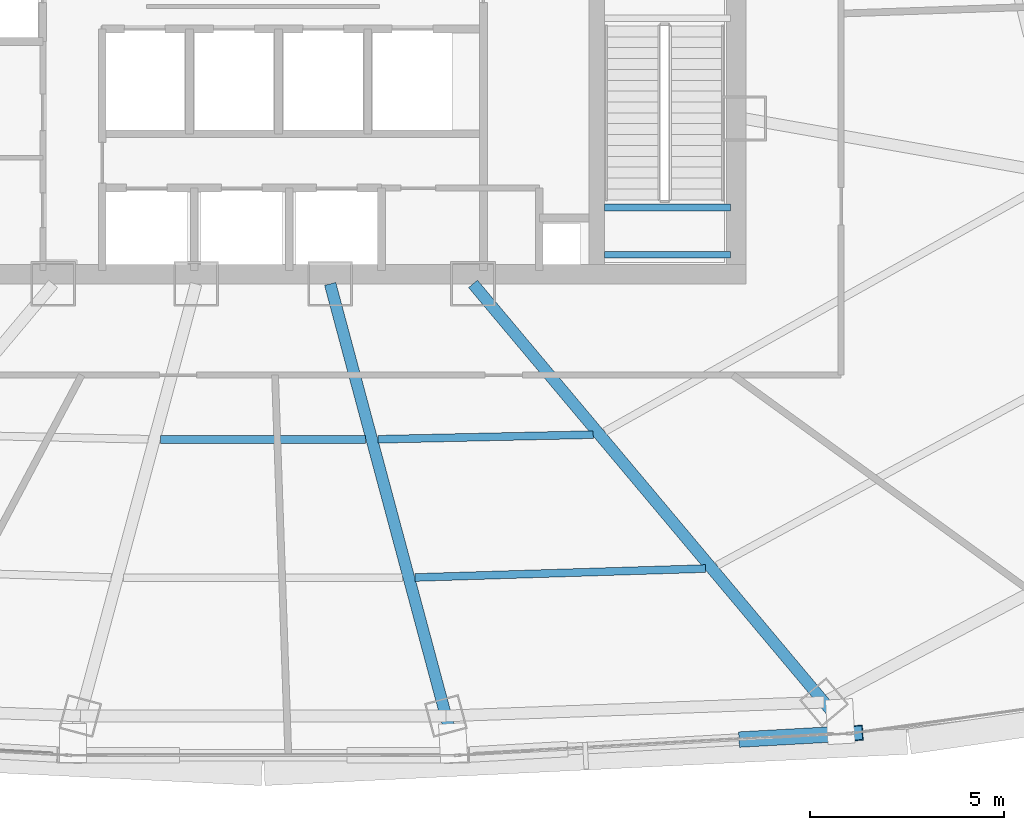
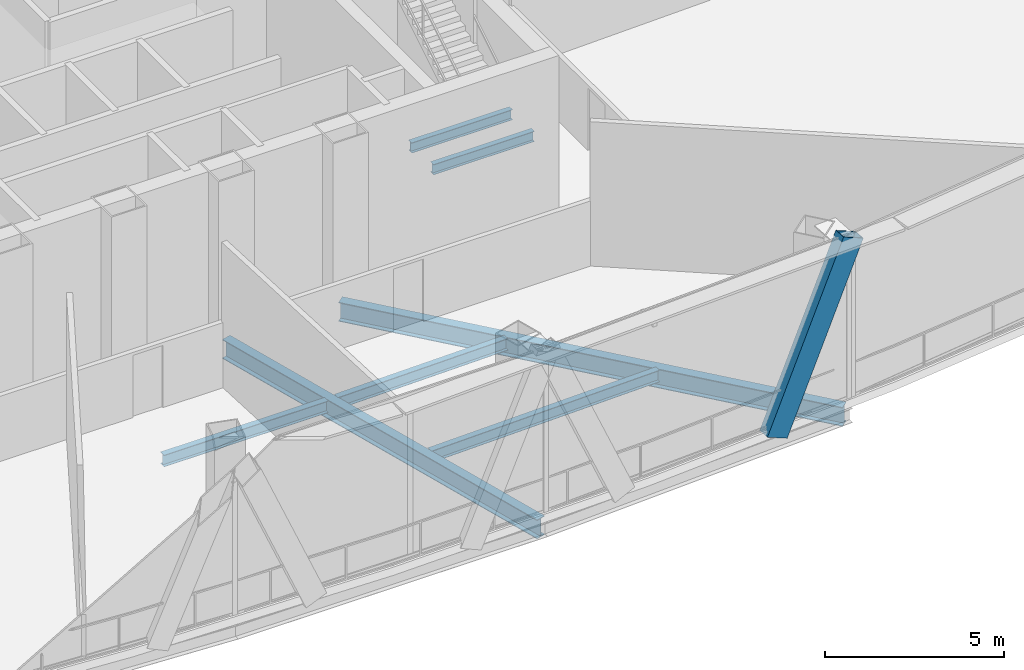
# One storey, part 13 of 38: 7 beams, 1 member.
"""IFC4 building model written with IfcOpenShell, lengths in metres."""

from ifc_helpers import new_model, si_unit, direction, frame, origin, origin_2d, place, context, subcontext, project, spatial, hollow_rectangle, i_section, extrude, source, transform, mapped, material, material_profile, profile_set, type_object, element, save


model = new_model("IFC4")

# Units and contexts
model_context = context("Model", 3, precision=1e-05, world=origin(), true_north=direction((0.0, 1.0)))
body_context = subcontext(model_context, "Body", "Model", "MODEL_VIEW")
ifc_project = project(units=[si_unit("LENGTHUNIT", "METRE"), si_unit("AREAUNIT", "SQUARE_METRE"), si_unit("VOLUMEUNIT", "CUBIC_METRE"), si_unit("PLANEANGLEUNIT", "RADIAN"), si_unit("MASSUNIT", "GRAM", prefix="KILO"), si_unit("THERMODYNAMICTEMPERATUREUNIT", "KELVIN"), si_unit("POWERUNIT", "WATT")], contexts=[model_context])

# Site, building, storey
site_placement = place(None, origin())
site = spatial("IfcSite", under=ifc_project, at=site_placement, CompositionType="ELEMENT")
building_placement = place(site_placement, origin())
building = spatial("IfcBuilding", under=site, at=building_placement, Name="Yunzhuo Pagoda Commons", CompositionType="ELEMENT")
storey_placement = place(building_placement, frame((0.0, 0.0, 218.9599609375)))
storey = spatial("IfcBuildingStorey", under=building, at=storey_placement, Name="L55", CompositionType="ELEMENT", Elevation=218.9599609375)

# Beams
ifc_material = material(Name="Structural steel Q355B", Category="steel")
ifc_material_profile_1 = material_profile(ifc_material, i_section(OverallWidth=0.175048828125, OverallDepth=0.35009765625, WebThickness=0.007080078125, FlangeThickness=0.010986328125, at=origin_2d()), Name="Structural steel Q355B")
ifc_profile_set_1 = profile_set([ifc_material_profile_1], Name="Structural steel Q355B")
beam_type_1 = type_object("IfcBeamType", Name="B-JS2 Joist HN 350x175x7x11", PredefinedType="JOIST", material=ifc_profile_set_1)
shared_shape_1 = source(origin(), body_context, "Body", "SweptSolid", [
    extrude(i_section(OverallWidth=0.175048828125, OverallDepth=0.35009765625, WebThickness=0.007080078125, FlangeThickness=0.010986328125, at=origin_2d()), origin(), (0.0, 0.0, 1.0), 3.25),
])
for number, where, z_axis, x_axis, name in (
    (1, (56.800048828125, 28.0, 2.550048828125), (1.0, 0.0, 0.0), (0.0, 1.0, 0.0), "L55 ST2 landing support beam 61A"),
    (2, (56.800048828125, 29.219970703125, 2.550048828125), (1.0, 0.0, 0.0), (0.0, 1.0, 0.0), "L55 ST2 landing support beam 61B"),
):
    element("IfcBeam", number, at=place(storey_placement, frame(where, z_axis=z_axis, x_axis=x_axis)), inside=storey, type_object=beam_type_1, Name=name, PredefinedType="JOIST", context=body_context, shape_type="MappedRepresentation", body=[
        mapped(shared_shape_1, transform((0.0, 0.0, 0.0), scale=1.0)),
    ])
ifc_material_profile_2 = material_profile(ifc_material, i_section(OverallWidth=0.199951171875, OverallDepth=0.39990234375, WebThickness=0.008056640625, FlangeThickness=0.012939453125, at=origin_2d()), Name="Structural steel Q355B")
ifc_profile_set_2 = profile_set([ifc_material_profile_2], Name="Structural steel Q355B")
beam_type_2 = type_object("IfcBeamType", Name="B-JS1 Joist HN 400x200x8x13", PredefinedType="JOIST", material=ifc_profile_set_2)
shared_shape_2 = source(origin(), body_context, "Body", "SweptSolid", [
    extrude(i_section(OverallWidth=0.199951171875, OverallDepth=0.39990234375, WebThickness=0.008056640625, FlangeThickness=0.012939453125, at=origin_2d()), origin(), (0.0, 0.0, 1.0), 5.550537109375),
])
beam_1_placement = place(storey_placement, frame((50.961669921875, 23.244140625, -0.479736328125), z_axis=(0.99976582056, 0.021640333643, 0.0), x_axis=(-0.021640333643, 0.99976582056, 0.0)))
element("IfcBeam", 3, at=beam_1_placement, inside=storey, type_object=beam_type_2, Name="L55 composite ring joist 1.3", PredefinedType="JOIST", context=body_context, shape_type="MappedRepresentation", body=[
    mapped(shared_shape_2, transform((0.0, 0.0, 0.0), scale=1.0)),
])
shared_shape_3 = source(origin(), body_context, "Body", "SweptSolid", [
    extrude(i_section(OverallWidth=0.199951171875, OverallDepth=0.39990234375, WebThickness=0.008056640625, FlangeThickness=0.012939453125, at=origin_2d()), origin(), (0.0, 0.0, 1.0), 7.49365234375),
])
beam_2_placement = place(storey_placement, frame((51.91650390625, 19.68115234375, -0.479736328125), z_axis=(0.99952593018, 0.030788226605, 0.0), x_axis=(-0.030788226605, 0.99952593018, 0.0)))
element("IfcBeam", 4, at=beam_2_placement, inside=storey, type_object=beam_type_2, Name="L55 composite ring joist 2.3", PredefinedType="JOIST", context=body_context, shape_type="MappedRepresentation", body=[
    mapped(shared_shape_3, transform((0.0, 0.0, 0.0), scale=1.0)),
])
shared_shape_4 = source(origin(), body_context, "Body", "SweptSolid", [
    extrude(i_section(OverallWidth=0.199951171875, OverallDepth=0.39990234375, WebThickness=0.008056640625, FlangeThickness=0.012939453125, at=origin_2d()), origin(), (0.0, 0.0, 1.0), 5.287109375),
])
beam_3_placement = place(storey_placement, frame((45.3564453125, 23.24072265625, -0.479736328125), z_axis=(1.0, 0.0, 0.0), x_axis=(0.0, 1.0, 0.0)))
element("IfcBeam", 5, at=beam_3_placement, inside=storey, type_object=beam_type_2, Name="L55 composite ring joist 1.2", PredefinedType="JOIST", context=body_context, shape_type="MappedRepresentation", body=[
    mapped(shared_shape_4, transform((0.0, 0.0, 0.0), scale=1.0)),
])
ifc_material_profile_3 = material_profile(ifc_material, i_section(OverallWidth=0.300048828125, OverallDepth=0.64990234375, WebThickness=0.012939453125, FlangeThickness=0.02197265625, at=origin_2d()), Name="Structural steel Q355B")
ifc_profile_set_3 = profile_set([ifc_material_profile_3], Name="Structural steel Q355B")
beam_type_3 = type_object("IfcBeamType", Name="B-RG2 Beam HN 650x300x13x22", PredefinedType="BEAM", material=ifc_profile_set_3)
shared_shape_5 = source(origin(), body_context, "Body", "SweptSolid", [
    extrude(i_section(OverallWidth=0.300048828125, OverallDepth=0.64990234375, WebThickness=0.012939453125, FlangeThickness=0.02197265625, at=origin_2d()), origin(), (0.0, 0.0, 1.0), 14.972900390625),
])
beam_4_placement = place(storey_placement, frame((63.03662109375, 15.7802734375, -0.604736328125), z_axis=(-0.64279812854, 0.76603561663, 0.0), x_axis=(-0.76603561663, -0.64279812854, 0.0)))
element("IfcBeam", 6, at=beam_4_placement, inside=storey, type_object=beam_type_3, Name="L55 radial floor girder F1C4", PredefinedType="BEAM", context=body_context, shape_type="MappedRepresentation", body=[
    mapped(shared_shape_5, transform((0.0, 0.0, 0.0), scale=1.0)),
])
shared_shape_6 = source(origin(), body_context, "Body", "SweptSolid", [
    extrude(i_section(OverallWidth=0.300048828125, OverallDepth=0.64990234375, WebThickness=0.012939453125, FlangeThickness=0.02197265625, at=origin_2d()), origin(), (0.0, 0.0, 1.0), 12.425537109375),
])
beam_5_placement = place(storey_placement, frame((52.9443359375, 15.247802734375, -0.604736328125), z_axis=(-0.258807124655, 0.965929020284, 0.0), x_axis=(-0.965929020284, -0.258807124655, 0.0)))
element("IfcBeam", 7, at=beam_5_placement, inside=storey, type_object=beam_type_3, Name="L55 radial floor girder F1C3", PredefinedType="BEAM", context=body_context, shape_type="MappedRepresentation", body=[
    mapped(shared_shape_6, transform((0.0, 0.0, 0.0), scale=1.0)),
])

# Member
ifc_material_profile_4 = material_profile(ifc_material, hollow_rectangle(XDim=0.39990234375, YDim=0.719970703125, WallThickness=0.02392578125, at=origin_2d()), Name="Structural steel Q355B")
ifc_profile_set_4 = profile_set([ifc_material_profile_4], Name="Structural steel Q355B")
member_type = type_object("IfcMemberType", Name="M-DL2 Brace BOX 720x400x24", PredefinedType="BRACE", material=ifc_profile_set_4)
shared_shape_7 = source(origin(), body_context, "Body", "SweptSolid", [
    extrude(hollow_rectangle(XDim=0.39990234375, YDim=0.719970703125, WallThickness=0.02392578125, at=origin_2d()), origin(), (0.0, 0.0, 1.0), 6.37841796875),
])
member_placement = place(storey_placement, frame((60.598388671875, 15.5205078125, -0.280029296875), z_axis=(0.397847383766, 0.022123897231, 0.917184819108), x_axis=(-0.055523222525, 0.998457396067, 0.0)))
element("IfcMember", 8, at=member_placement, inside=storey, type_object=member_type, Name="L55 facade diamond brace F1.3R", PredefinedType="BRACE", context=body_context, shape_type="MappedRepresentation", body=[
    mapped(shared_shape_7, transform((0.0, 0.0, 0.0), scale=1.0)),
])

save(model, "model.ifc")
